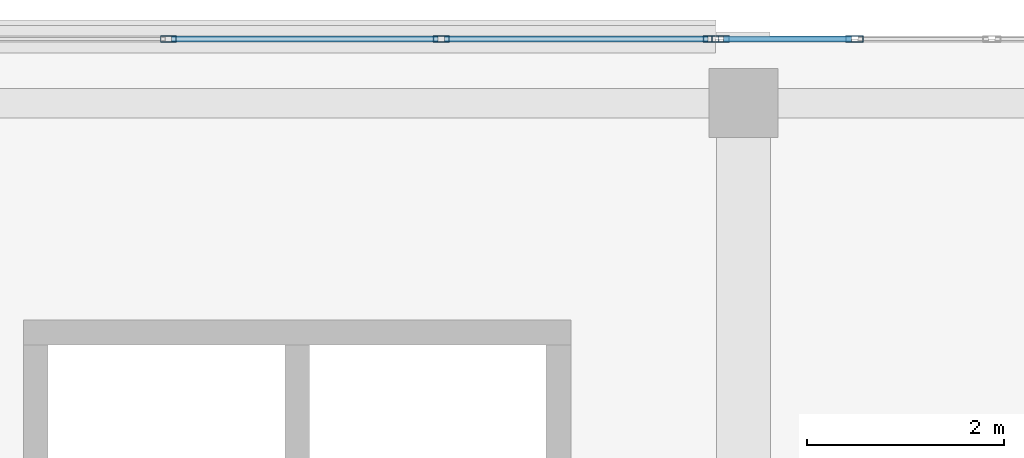
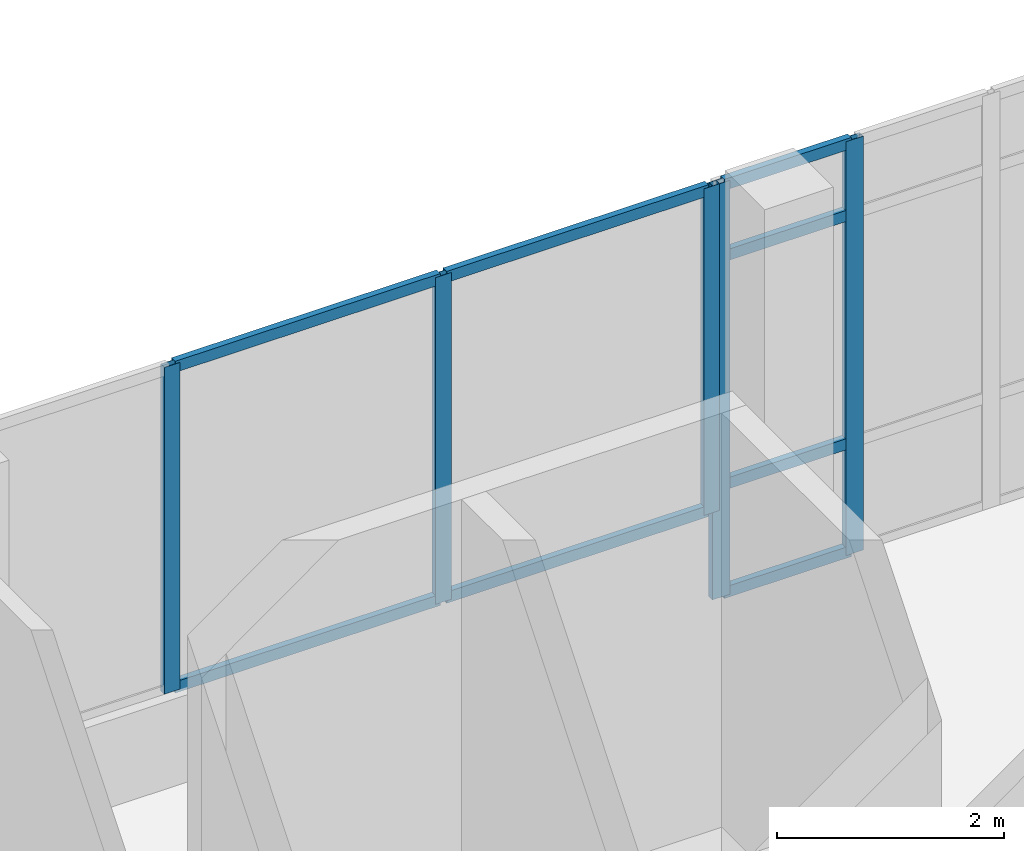
# One storey, part 91 of 155: 13 members, 2 elements without a shape of their own.
"""IFC4 building model written with IfcOpenShell, lengths in metres."""

import ifcopenshell
import ifcopenshell.guid

model = None  # the IFC model being written
_history = None  # IfcOwnerHistory: only IFC2X3 demands one
_inside = {}  # id of a spatial element -> (the spatial element, [elements in it])
_under = {}  # id of a project, library or spatial element -> (it, [spatial elements below it])
_declared = {}  # id of a project -> (the project, [libraries it declares])
_typed = {}  # id of a type object -> (the type object, [elements of that type])
_made_of = {}  # id of a material, layer set ... -> (it, [elements and type objects made of it])


def new_model(schema):
    """Start an empty IFC model of exactly this schema.

    Asked for "IFC4X3", IfcOpenShell would pick the latest addendum, in which some entities
    have other attributes; the version numbers below select the first issue.
    IFC2X3 requires an IfcOwnerHistory on every rooted entity: one is made here for all.
    """
    global model, _history
    if schema == "IFC4X3":
        model = ifcopenshell.file(schema_version=(4, 3, 0, 0))
    else:
        model = ifcopenshell.file(schema=schema)
    _inside.clear()
    _under.clear()
    _declared.clear()
    _typed.clear()
    _made_of.clear()
    _history = None
    if model.schema == "IFC2X3":
        org = make("IfcOrganization", Name="unknown")
        user = make(
            "IfcPersonAndOrganization",
            ThePerson=make("IfcPerson", FamilyName="unknown"),
            TheOrganization=org,
        )
        app = make(
            "IfcApplication",
            ApplicationDeveloper=org,
            Version="unknown",
            ApplicationFullName="unknown",
            ApplicationIdentifier="unknown",
        )
        _history = make(
            "IfcOwnerHistory",
            OwningUser=user,
            OwningApplication=app,
            ChangeAction="ADDED",
            CreationDate=0,
        )
    return model


def make(cls, **values):
    """One entity of the class cls with the attributes given. An attribute that is None is left unset."""
    return model.create_entity(
        cls, **{name: value for name, value in values.items() if value is not None}
    )


def rooted(cls, **values):
    """An entity with a GlobalId (a new one), such as an element, a storey or a relation."""
    return make(cls, GlobalId=ifcopenshell.guid.new(), OwnerHistory=_history, **values)


def si_unit(unit_type, name, prefix=None):
    """IfcSIUnit, for example si_unit("LENGTHUNIT", "METRE", prefix="MILLI")."""
    return make("IfcSIUnit", UnitType=unit_type, Prefix=prefix, Name=name)


def assignment(units):
    """IfcUnitAssignment: the units of a project."""
    return None if units is None else make("IfcUnitAssignment", Units=units)


def point(xyz):
    """IfcCartesianPoint."""
    return None if xyz is None else make("IfcCartesianPoint", Coordinates=xyz)


def direction(xyz):
    """IfcDirection."""
    return None if xyz is None else make("IfcDirection", DirectionRatios=xyz)


def frame(location, z_axis=None, x_axis=None):
    """IfcAxis2Placement3D, a coordinate frame: its origin and axes. An axis left out is left unset."""
    return make(
        "IfcAxis2Placement3D",
        Location=point(location),
        Axis=direction(z_axis),
        RefDirection=direction(x_axis),
    )


def frame_2d(location, x_axis=None):
    """IfcAxis2Placement2D, a coordinate frame in the plane: its origin and x axis."""
    return make(
        "IfcAxis2Placement2D", Location=point(location), RefDirection=direction(x_axis)
    )


def origin():
    """The frame at (0, 0, 0) with its axes left unset."""
    return frame((0.0, 0.0, 0.0))


def origin_2d():
    """The frame at (0, 0) in the plane with its x axis left unset."""
    return frame_2d((0.0, 0.0))


def place(relative_to, where):
    """IfcLocalPlacement: puts the frame where relative to a parent placement (None: the world)."""
    return make(
        "IfcLocalPlacement", PlacementRelTo=relative_to, RelativePlacement=where
    )


def context(
    kind, dimensions, precision=None, world=None, true_north=None, identifier=None
):
    """IfcGeometricRepresentationContext, for example the 3D "Model" context."""
    return make(
        "IfcGeometricRepresentationContext",
        ContextIdentifier=identifier,
        ContextType=kind,
        CoordinateSpaceDimension=dimensions,
        Precision=precision,
        WorldCoordinateSystem=world,
        TrueNorth=true_north,
    )


def subcontext(parent, identifier, kind, view, scale=None):
    """IfcGeometricRepresentationSubContext, for example "Body" below "Model"."""
    return make(
        "IfcGeometricRepresentationSubContext",
        ContextIdentifier=identifier,
        ContextType=kind,
        ParentContext=parent,
        TargetScale=scale,
        TargetView=view,
    )


def project(units=None, contexts=None):
    """IfcProject with its units and contexts."""
    return rooted(
        "IfcProject",
        Name="project",
        RepresentationContexts=contexts,
        UnitsInContext=assignment(units),
    )


def spatial(cls, under=None, at=None, **own):
    """A site, building, storey or space (cls), placed at a placement, below another one or the project."""
    s = rooted(cls, ObjectPlacement=at, **own)
    if under is not None:
        _under.setdefault(under.id(), (under, []))[1].append(s)
    return s


def profile(cls, at=None, kind="AREA", **sizes):
    """A parametric profile (cls). Its sizes go by their IFC names, for example OverallWidth=200.0."""
    return make(cls, ProfileType=kind, Position=at, **sizes)


def hollow_rectangle(**sizes):
    """IfcRectangleHollowProfileDef."""
    return profile("IfcRectangleHollowProfileDef", **sizes)


def extrude(swept, where, along, depth):
    """IfcExtrudedAreaSolid: the profile swept, set in the frame where, extruded along a direction by depth."""
    return make(
        "IfcExtrudedAreaSolid",
        SweptArea=swept,
        Position=where,
        ExtrudedDirection=direction(along),
        Depth=depth,
    )


def shape(context_of_items, identifier, shape_type, items):
    """IfcShapeRepresentation: the items that make up one representation, for example the "Body"."""
    return make(
        "IfcShapeRepresentation",
        ContextOfItems=context_of_items,
        RepresentationIdentifier=identifier,
        RepresentationType=shape_type,
        Items=items,
    )


def material(Name=None, Category=None):
    """IfcMaterial."""
    return make("IfcMaterial", Name=Name, Category=Category)


def material_profile(
    of_material, cross_section, Name=None, Category=None, Priority=None
):
    """IfcMaterialProfile: a cross section and its material."""
    return make(
        "IfcMaterialProfile",
        Name=Name,
        Material=of_material,
        Profile=cross_section,
        Priority=Priority,
        Category=Category,
    )


def profile_set(profiles, Name=None, composite=None):
    """IfcMaterialProfileSet."""
    return make(
        "IfcMaterialProfileSet",
        Name=Name,
        MaterialProfiles=profiles,
        CompositeProfile=composite,
    )


def made_of(thing, what):
    """Note that an element or type object is made of a material, layer set ...; save() writes the relation."""
    if what is not None:
        _made_of.setdefault(what.id(), (what, []))[1].append(thing)
    return thing


def type_object(cls, material=None, **own):
    """A type object (cls), such as IfcWallType, which elements share."""
    return made_of(rooted(cls, **own), material)


def element(
    cls,
    number,
    at=None,
    inside=None,
    cuts=None,
    type_object=None,
    material=None,
    context=None,
    identifier="Body",
    shape_type=None,
    held_by="IfcProductDefinitionShape",
    body=None,
    shapes=None,
    **own,
):
    """One element of the class cls, such as IfcWall. Its Tag is "e" and its number.

    at: its placement. inside: the storey or other place that contains it. cuts: it is an
    opening in that element (IfcRelVoidsElement). A single representation is given by context,
    identifier, shape_type and body (its items); several are given by shapes. held_by: the class
    of the entity that holds the representations. save() writes the other relations.
    """
    e = rooted(cls, Tag="e%d" % number, ObjectPlacement=at, **own)
    if body is not None:
        shapes = [shape(context, identifier, shape_type, body)]
    if shapes is not None:
        e.Representation = make(held_by, Representations=shapes)
    if inside is not None:
        _inside.setdefault(inside.id(), (inside, []))[1].append(e)
    if cuts is not None:
        rooted(
            "IfcRelVoidsElement", RelatingBuildingElement=cuts, RelatedOpeningElement=e
        )
    if type_object is not None:
        _typed.setdefault(type_object.id(), (type_object, []))[1].append(e)
    return made_of(e, material)


def aggregate(whole, parts):
    """IfcRelAggregates: a whole, such as a stair, and the parts it consists of."""
    return rooted("IfcRelAggregates", RelatingObject=whole, RelatedObjects=parts)


def save(model, path):
    """Write the relations noted so far, then the file.

    IfcRelAggregates (storeys below a building ...), IfcRelContainedInSpatialStructure (elements
    in a storey), IfcRelDefinesByType, IfcRelAssociatesMaterial and IfcRelDeclares: one each for
    every whole, place, type object, material and project.
    """
    for whole, parts in _under.values():
        aggregate(whole, parts)
    for where, things in _inside.values():
        rooted(
            "IfcRelContainedInSpatialStructure",
            RelatedElements=things,
            RelatingStructure=where,
        )
    for kind, things in _typed.values():
        rooted("IfcRelDefinesByType", RelatedObjects=things, RelatingType=kind)
    for what, things in _made_of.values():
        rooted("IfcRelAssociatesMaterial", RelatedObjects=things, RelatingMaterial=what)
    for by, libraries in _declared.values():
        rooted("IfcRelDeclares", RelatingContext=by, RelatedDefinitions=libraries)
    model.write(path)


model = new_model("IFC4")

# Units and contexts
model_context = context("Model", 3, precision=1e-05, world=origin(), true_north=direction((0.0, 1.0)))
body_context = subcontext(model_context, "Body", "Model", "MODEL_VIEW")
ifc_project = project(units=[si_unit("LENGTHUNIT", "METRE"), si_unit("AREAUNIT", "SQUARE_METRE"), si_unit("VOLUMEUNIT", "CUBIC_METRE"), si_unit("PLANEANGLEUNIT", "RADIAN"), si_unit("MASSUNIT", "GRAM", prefix="KILO")], contexts=[model_context])

# Site, building, storey
site_placement = place(None, origin())
site = spatial("IfcSite", under=ifc_project, at=site_placement, CompositionType="ELEMENT")
building_placement = place(site_placement, origin())
building = spatial("IfcBuilding", under=site, at=building_placement, Name="Selatvlak General Hospital", CompositionType="ELEMENT")
storey_placement = place(building_placement, frame((0.0, 0.0, 10.199951171875)))
storey = spatial("IfcBuildingStorey", under=building, at=storey_placement, Name="L02", CompositionType="ELEMENT", Elevation=10.199951171875)

# Curtain wall, members
ifc_material_1 = material(Name="Solar-control Low-E double glazing", Category="glass")
curtain_wall_type_1 = type_object("IfcCurtainWallType", Name="CW-CW-01", PredefinedType="USERDEFINED", material=ifc_material_1)
curtain_wall_1_placement = place(storey_placement, origin())
curtain_wall_1 = element("IfcCurtainWall", 1, at=curtain_wall_1_placement, inside=storey, type_object=curtain_wall_type_1, Name="Glazed facade curtain wall CW-L02-0256", ObjectType="UNITISED CURTAIN WALL", PredefinedType="USERDEFINED")
ifc_material_2 = material(Name="Dark anodised aluminium mullion", Category="aluminium")
ifc_material_profile_1 = material_profile(ifc_material_2, hollow_rectangle(XDim=0.06494140625, YDim=0.159912109375, WallThickness=0.00390625, at=origin_2d()), Name="AL-MUL 65x160x4")
ifc_profile_set_1 = profile_set([ifc_material_profile_1], Name="Dark anodised aluminium mullion")
member_type_1 = type_object("IfcMemberType", Name="CWM-01", PredefinedType="MULLION", material=ifc_profile_set_1)
member_1_placement = place(storey_placement, frame((126.170654296875, 120.0, 0.93994140625), z_axis=(0.0, 0.0, 1.0), x_axis=(0.0, 1.0, 0.0)))
member_1 = element("IfcMember", 2, at=member_1_placement, type_object=member_type_1, Name="CW-01 mullion 2", PredefinedType="MULLION", context=body_context, shape_type="SweptSolid", body=[
    extrude(hollow_rectangle(XDim=0.06494140625, YDim=0.159912109375, WallThickness=0.00390625, at=origin_2d()), origin(), (0.0, 0.0, 1.0), 3.52001953125),
])
member_2_placement = place(storey_placement, frame((128.937255859375, 120.0, 0.93994140625), z_axis=(0.0, 0.0, 1.0), x_axis=(0.0, 1.0, 0.0)))
member_2 = element("IfcMember", 3, at=member_2_placement, type_object=member_type_1, Name="CW-01 mullion 3", PredefinedType="MULLION", context=body_context, shape_type="SweptSolid", body=[
    extrude(hollow_rectangle(XDim=0.06494140625, YDim=0.159912109375, WallThickness=0.00390625, at=origin_2d()), origin(), (0.0, 0.0, 1.0), 3.52001953125),
])
member_3_placement = place(storey_placement, frame((131.67138671875, 120.0, 0.93994140625), z_axis=(0.0, 0.0, 1.0), x_axis=(0.0, 1.0, 0.0)))
member_3 = element("IfcMember", 4, at=member_3_placement, type_object=member_type_1, Name="CW-01 mullion 4", PredefinedType="MULLION", context=body_context, shape_type="SweptSolid", body=[
    extrude(hollow_rectangle(XDim=0.06494140625, YDim=0.159912109375, WallThickness=0.00390625, at=origin_2d()), origin(), (0.0, 0.0, 1.0), 3.52001953125),
])

curtain_wall_type_2 = type_object("IfcCurtainWallType", Name="CW-CW-04", PredefinedType="USERDEFINED", material=ifc_material_1)
curtain_wall_2_placement = place(storey_placement, origin())
curtain_wall_2 = element("IfcCurtainWall", 5, at=curtain_wall_2_placement, inside=storey, type_object=curtain_wall_type_2, Name="Glazed facade curtain wall CW-L02-0257", ObjectType="STICK GLAZING WALL", PredefinedType="USERDEFINED")
ifc_material_profile_2 = material_profile(ifc_material_2, hollow_rectangle(XDim=0.06494140625, YDim=0.179931640625, WallThickness=0.00439453125, at=origin_2d()), Name="AL-MUL 65x180x4.5")
ifc_profile_set_2 = profile_set([ifc_material_profile_2], Name="Dark anodised aluminium mullion")
member_type_2 = type_object("IfcMemberType", Name="CWM-02", PredefinedType="MULLION", material=ifc_profile_set_2)
member_4_placement = place(storey_placement, frame((131.7666015625, 120.0, 0.0), z_axis=(0.0, 0.0, 1.0), x_axis=(0.0, 1.0, 0.0)))
member_4 = element("IfcMember", 6, at=member_4_placement, type_object=member_type_2, Name="CW-04 mullion 1", PredefinedType="MULLION", context=body_context, shape_type="SweptSolid", body=[
    extrude(hollow_rectangle(XDim=0.06494140625, YDim=0.179931640625, WallThickness=0.00439453125, at=origin_2d()), origin(), (0.0, 0.0, 1.0), 4.4599609375),
])
member_5_placement = place(storey_placement, frame((133.125732421875, 120.0, 0.0), z_axis=(0.0, 0.0, 1.0), x_axis=(0.0, 1.0, 0.0)))
member_5 = element("IfcMember", 7, at=member_5_placement, type_object=member_type_2, Name="CW-04 mullion 2", PredefinedType="MULLION", context=body_context, shape_type="SweptSolid", body=[
    extrude(hollow_rectangle(XDim=0.06494140625, YDim=0.179931640625, WallThickness=0.00439453125, at=origin_2d()), origin(), (0.0, 0.0, 1.0), 4.4599609375),
])

# Member
ifc_material_profile_3 = material_profile(ifc_material_2, hollow_rectangle(XDim=0.06494140625, YDim=0.1201171875, WallThickness=0.00390625, at=origin_2d()), Name="AL-TRN 65x120x4")
ifc_profile_set_3 = profile_set([ifc_material_profile_3], Name="Dark anodised aluminium mullion")
member_type_3 = type_object("IfcMemberType", Name="CWT-01", PredefinedType="USERDEFINED", material=ifc_profile_set_3)
member_6_placement = place(storey_placement, frame((126.203125, 120.0, 0.97265625), z_axis=(1.0, 0.0, 0.0), x_axis=(0.0, 1.0, 0.0)))
member_6 = element("IfcMember", 8, at=member_6_placement, type_object=member_type_3, Name="CW-01 transom 2.1", ObjectType="TRANSOM", PredefinedType="USERDEFINED", context=body_context, shape_type="SweptSolid", body=[
    extrude(hollow_rectangle(XDim=0.06494140625, YDim=0.1201171875, WallThickness=0.00390625, at=origin_2d()), origin(), (0.0, 0.0, 1.0), 2.70166015625),
])

member_7_placement = place(storey_placement, frame((126.203125, 120.0, 4.427490234375), z_axis=(1.0, 0.0, 0.0), x_axis=(0.0, 1.0, 0.0)))
member_7 = element("IfcMember", 9, at=member_7_placement, type_object=member_type_3, Name="CW-01 transom 2.2", ObjectType="TRANSOM", PredefinedType="USERDEFINED", context=body_context, shape_type="SweptSolid", body=[
    extrude(hollow_rectangle(XDim=0.06494140625, YDim=0.1201171875, WallThickness=0.00390625, at=origin_2d()), origin(), (0.0, 0.0, 1.0), 2.70166015625),
])

member_8_placement = place(storey_placement, frame((128.9697265625, 120.0, 0.97265625), z_axis=(1.0, 0.0, 0.0), x_axis=(0.0, 1.0, 0.0)))
member_8 = element("IfcMember", 10, at=member_8_placement, type_object=member_type_3, Name="CW-01 transom 3.1", ObjectType="TRANSOM", PredefinedType="USERDEFINED", context=body_context, shape_type="SweptSolid", body=[
    extrude(hollow_rectangle(XDim=0.06494140625, YDim=0.1201171875, WallThickness=0.00390625, at=origin_2d()), origin(), (0.0, 0.0, 1.0), 2.669189453125),
])

member_9_placement = place(storey_placement, frame((128.9697265625, 120.0, 4.427490234375), z_axis=(1.0, 0.0, 0.0), x_axis=(0.0, 1.0, 0.0)))
member_9 = element("IfcMember", 11, at=member_9_placement, type_object=member_type_3, Name="CW-01 transom 3.2", ObjectType="TRANSOM", PredefinedType="USERDEFINED", context=body_context, shape_type="SweptSolid", body=[
    extrude(hollow_rectangle(XDim=0.06494140625, YDim=0.1201171875, WallThickness=0.00390625, at=origin_2d()), origin(), (0.0, 0.0, 1.0), 2.669189453125),
])

aggregate(curtain_wall_1, [member_1, member_2, member_3, member_6, member_7, member_8, member_9])

member_10_placement = place(storey_placement, frame((131.799072265625, 120.0, 0.032470703125), z_axis=(1.0, 0.0, 0.0), x_axis=(0.0, 1.0, 0.0)))
member_10 = element("IfcMember", 12, at=member_10_placement, type_object=member_type_3, Name="CW-04 transom 1.1", ObjectType="TRANSOM", PredefinedType="USERDEFINED", context=body_context, shape_type="SweptSolid", body=[
    extrude(hollow_rectangle(XDim=0.06494140625, YDim=0.1201171875, WallThickness=0.00390625, at=origin_2d()), origin(), (0.0, 0.0, 1.0), 1.294189453125),
])

member_11_placement = place(storey_placement, frame((131.799072265625, 120.0, 1.199951171875), z_axis=(1.0, 0.0, 0.0), x_axis=(0.0, 1.0, 0.0)))
member_11 = element("IfcMember", 13, at=member_11_placement, type_object=member_type_3, Name="CW-04 transom 1.2", ObjectType="TRANSOM", PredefinedType="USERDEFINED", context=body_context, shape_type="SweptSolid", body=[
    extrude(hollow_rectangle(XDim=0.06494140625, YDim=0.1201171875, WallThickness=0.00390625, at=origin_2d()), origin(), (0.0, 0.0, 1.0), 1.294189453125),
])

member_12_placement = place(storey_placement, frame((131.799072265625, 120.0, 3.66015625), z_axis=(1.0, 0.0, 0.0), x_axis=(0.0, 1.0, 0.0)))
member_12 = element("IfcMember", 14, at=member_12_placement, type_object=member_type_3, Name="CW-04 transom 1.3", ObjectType="TRANSOM", PredefinedType="USERDEFINED", context=body_context, shape_type="SweptSolid", body=[
    extrude(hollow_rectangle(XDim=0.06494140625, YDim=0.1201171875, WallThickness=0.00390625, at=origin_2d()), origin(), (0.0, 0.0, 1.0), 1.294189453125),
])

member_13_placement = place(storey_placement, frame((131.799072265625, 120.0, 4.427490234375), z_axis=(1.0, 0.0, 0.0), x_axis=(0.0, 1.0, 0.0)))
member_13 = element("IfcMember", 15, at=member_13_placement, type_object=member_type_3, Name="CW-04 transom 1.4", ObjectType="TRANSOM", PredefinedType="USERDEFINED", context=body_context, shape_type="SweptSolid", body=[
    extrude(hollow_rectangle(XDim=0.06494140625, YDim=0.1201171875, WallThickness=0.00390625, at=origin_2d()), origin(), (0.0, 0.0, 1.0), 1.294189453125),
])

aggregate(curtain_wall_2, [member_4, member_5, member_10, member_11, member_12, member_13])

save(model, "model.ifc")
